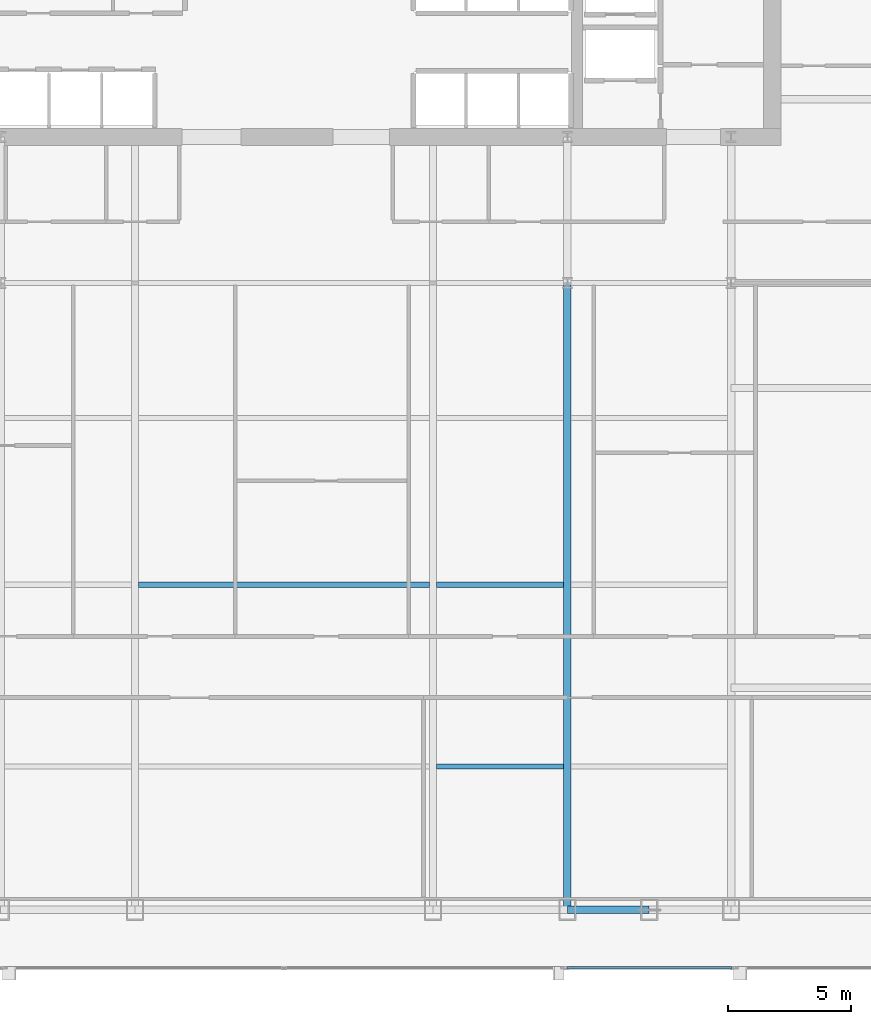
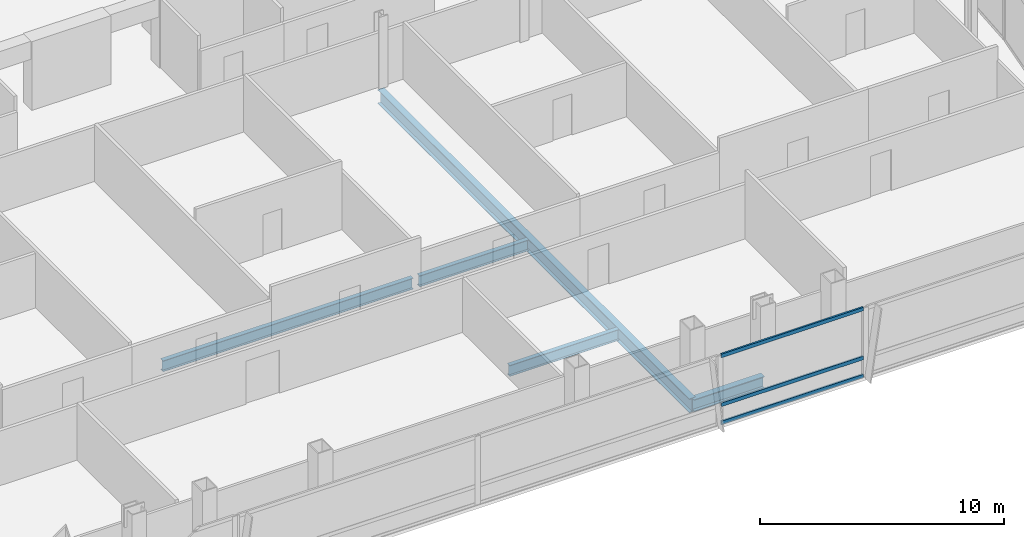
# One storey, part 14 of 33: 5 beams, 3 members, 1 element without a shape of its own.
"""IFC4 building model written with IfcOpenShell, lengths in metres."""

from ifc_helpers import new_model, si_unit, direction, frame, origin, origin_2d, place, context, subcontext, project, spatial, hollow_rectangle, i_section, extrude, material, material_profile, profile_set, type_object, element, aggregate, save


model = new_model("IFC4")

# Units and contexts
model_context = context("Model", 3, precision=1e-05, world=origin(), true_north=direction((0.0, 1.0)))
body_context = subcontext(model_context, "Body", "Model", "MODEL_VIEW")
ifc_project = project(units=[si_unit("LENGTHUNIT", "METRE"), si_unit("AREAUNIT", "SQUARE_METRE"), si_unit("VOLUMEUNIT", "CUBIC_METRE"), si_unit("PLANEANGLEUNIT", "RADIAN"), si_unit("MASSUNIT", "GRAM", prefix="KILO")], contexts=[model_context])

# Site, building, storey
site_placement = place(None, origin())
site = spatial("IfcSite", under=ifc_project, at=site_placement, CompositionType="ELEMENT")
building_placement = place(site_placement, origin())
building = spatial("IfcBuilding", under=site, at=building_placement, Name="Khoronbel Lancet Exchange", CompositionType="ELEMENT")
storey_placement = place(building_placement, frame((0.0, 0.0, 114.60009765625)))
storey = spatial("IfcBuildingStorey", under=building, at=storey_placement, Name="L27", CompositionType="ELEMENT", Elevation=114.60009765625)

# Beams
ifc_material_1 = material(Name="Steel S355", Category="steel")
ifc_material_profile_1 = material_profile(ifc_material_1, i_section(OverallWidth=0.300048828125, OverallDepth=0.699951171875, WebThickness=0.01708984375, FlangeThickness=0.031982421875, at=origin_2d()), Name="HEB 700")
ifc_profile_set_1 = profile_set([ifc_material_profile_1], Name="Steel S355")
beam_type_1 = type_object("IfcBeamType", Name="BM-BG3", PredefinedType="BEAM", material=ifc_profile_set_1)
beam_1_placement = place(storey_placement, frame((48.0, 10.14990234375, -0.510009765625), z_axis=(0.0, 1.0, 0.0), x_axis=(-1.0, 0.0, 0.0)))
element("IfcBeam", 1, at=beam_1_placement, inside=storey, type_object=beam_type_1, Name="Level L27 south primary girder GS5", PredefinedType="BEAM", context=body_context, shape_type="SweptSolid", body=[
    extrude(i_section(OverallWidth=0.300048828125, OverallDepth=0.699951171875, WebThickness=0.01708984375, FlangeThickness=0.031982421875, at=origin_2d()), origin(), (0.0, 0.0, 1.0), 25.550048828125),
])
ifc_material_profile_2 = material_profile(ifc_material_1, i_section(OverallWidth=0.2099609375, OverallDepth=0.550048828125, WebThickness=0.010986328125, FlangeThickness=0.01708984375, at=origin_2d()), Name="IPE 550")
ifc_profile_set_2 = profile_set([ifc_material_profile_2], Name="Steel S355")
beam_type_2 = type_object("IfcBeamType", Name="BM-BJ2", PredefinedType="JOIST", material=ifc_profile_set_2)
beam_2_placement = place(storey_placement, frame((42.675048828125, 16.0, -0.43505859375), z_axis=(1.0, 0.0, 0.0), x_axis=(0.0, 1.0, 0.0)))
element("IfcBeam", 2, at=beam_2_placement, inside=storey, type_object=beam_type_2, Name="Level L27 secondary composite joist J04", PredefinedType="JOIST", context=body_context, shape_type="SweptSolid", body=[
    extrude(i_section(OverallWidth=0.2099609375, OverallDepth=0.550048828125, WebThickness=0.010986328125, FlangeThickness=0.01708984375, at=origin_2d()), origin(), (0.0, 0.0, 1.0), 5.175048828125),
])
beam_3_placement = place(storey_placement, frame((30.52490234375, 23.39990234375, -0.43505859375), z_axis=(1.0, 0.0, 0.0), x_axis=(0.0, 1.0, 0.0)))
element("IfcBeam", 3, at=beam_3_placement, inside=storey, type_object=beam_type_2, Name="Level L27 secondary composite joist J08", PredefinedType="JOIST", context=body_context, shape_type="SweptSolid", body=[
    extrude(i_section(OverallWidth=0.2099609375, OverallDepth=0.550048828125, WebThickness=0.010986328125, FlangeThickness=0.01708984375, at=origin_2d()), origin(), (0.0, 0.0, 1.0), 11.85009765625),
])
beam_4_placement = place(storey_placement, frame((42.675048828125, 23.39990234375, -0.43505859375), z_axis=(1.0, 0.0, 0.0), x_axis=(0.0, 1.0, 0.0)))
element("IfcBeam", 4, at=beam_4_placement, inside=storey, type_object=beam_type_2, Name="Level L27 secondary composite joist J09", PredefinedType="JOIST", context=body_context, shape_type="SweptSolid", body=[
    extrude(i_section(OverallWidth=0.2099609375, OverallDepth=0.550048828125, WebThickness=0.010986328125, FlangeThickness=0.01708984375, at=origin_2d()), origin(), (0.0, 0.0, 1.0), 5.175048828125),
])
ifc_material_profile_3 = material_profile(ifc_material_1, i_section(OverallWidth=0.300048828125, OverallDepth=0.60009765625, WebThickness=0.015380859375, FlangeThickness=0.030029296875, at=origin_2d()), Name="HEB 600")
ifc_profile_set_3 = profile_set([ifc_material_profile_3], Name="Steel S355")
beam_type_3 = type_object("IfcBeamType", Name="BM-BSP2", PredefinedType="SPANDREL", material=ifc_profile_set_3)
beam_5_placement = place(storey_placement, frame((48.0, 10.14990234375, -0.460205078125), z_axis=(1.0, 0.0, 0.0), x_axis=(0.0, 1.0, 0.0)))
element("IfcBeam", 5, at=beam_5_placement, inside=storey, type_object=beam_type_3, Name="Level L27 perimeter spandrel beam SP07", PredefinedType="SPANDREL", context=body_context, shape_type="SweptSolid", body=[
    extrude(i_section(OverallWidth=0.300048828125, OverallDepth=0.60009765625, WebThickness=0.015380859375, FlangeThickness=0.030029296875, at=origin_2d()), origin(), (0.0, 0.0, 1.0), 3.33740234375),
])

# Curtain wall, members
ifc_material_2 = material(Name="Low-E Solar Control Insulating Glass", Category="glass")
curtain_wall_type = type_object("IfcCurtainWallType", Name="CW-2", PredefinedType="NOTDEFINED", material=ifc_material_2)
curtain_wall_placement = place(storey_placement, origin())
curtain_wall = element("IfcCurtainWall", 6, at=curtain_wall_placement, inside=storey, type_object=curtain_wall_type, Name="Unitised curtain wall CW-L27-SEB", PredefinedType="NOTDEFINED")
ifc_material_3 = material(Name="Bronze-Anodised Aluminium 6063-T6", Category="aluminium")
ifc_material_profile_4 = material_profile(ifc_material_3, hollow_rectangle(XDim=0.0849609375, YDim=0.179931640625, WallThickness=0.0048828125, at=origin_2d()), Name="ALU TRANSOM 85x180")
ifc_profile_set_4 = profile_set([ifc_material_profile_4], Name="Bronze-Anodised Aluminium 6063-T6")
member_type = type_object("IfcMemberType", Name="MEM-CWT1", PredefinedType="USERDEFINED", material=ifc_profile_set_4)
member_1_placement = place(storey_placement, frame((47.985107421875, 7.7900390625, 0.04248046875), z_axis=(1.0, 0.0, 0.0), x_axis=(0.0, 1.0, 0.0)))
member_1 = element("IfcMember", 7, at=member_1_placement, type_object=member_type, Name="CW2 transom 1.1", ObjectType="TRANSOM", PredefinedType="USERDEFINED", context=body_context, shape_type="SweptSolid", body=[
    extrude(hollow_rectangle(XDim=0.0849609375, YDim=0.179931640625, WallThickness=0.0048828125, at=origin_2d()), origin(), (0.0, 0.0, 1.0), 6.72998046875),
])
member_2_placement = place(storey_placement, frame((47.985107421875, 7.7900390625, 0.949951171875), z_axis=(1.0, 0.0, 0.0), x_axis=(0.0, 1.0, 0.0)))
member_2 = element("IfcMember", 8, at=member_2_placement, type_object=member_type, Name="CW2 transom 1.2", ObjectType="TRANSOM", PredefinedType="USERDEFINED", context=body_context, shape_type="SweptSolid", body=[
    extrude(hollow_rectangle(XDim=0.0849609375, YDim=0.179931640625, WallThickness=0.0048828125, at=origin_2d()), origin(), (0.0, 0.0, 1.0), 6.72998046875),
])
member_3_placement = place(storey_placement, frame((47.985107421875, 7.7900390625, 3.3974609375), z_axis=(1.0, 0.0, 0.0), x_axis=(0.0, 1.0, 0.0)))
member_3 = element("IfcMember", 9, at=member_3_placement, type_object=member_type, Name="CW2 transom 1.3", ObjectType="TRANSOM", PredefinedType="USERDEFINED", context=body_context, shape_type="SweptSolid", body=[
    extrude(hollow_rectangle(XDim=0.0849609375, YDim=0.179931640625, WallThickness=0.0048828125, at=origin_2d()), origin(), (0.0, 0.0, 1.0), 6.72998046875),
])
aggregate(curtain_wall, [member_1, member_2, member_3])

save(model, "model.ifc")
